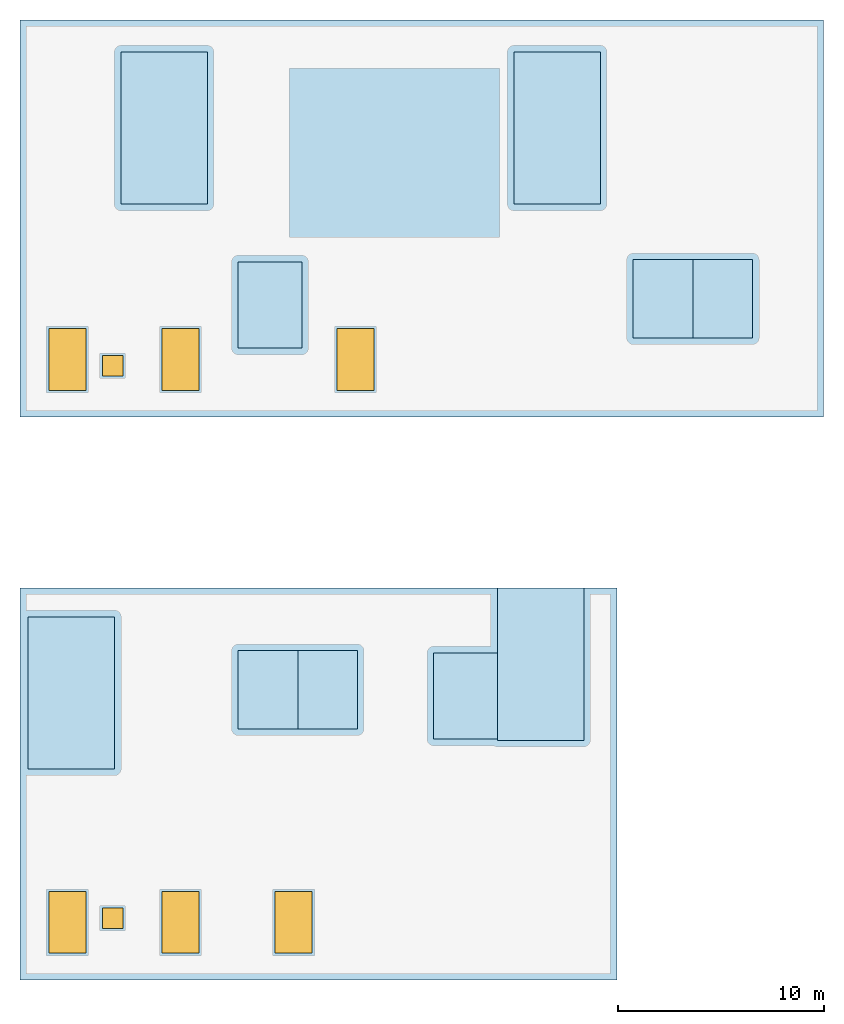
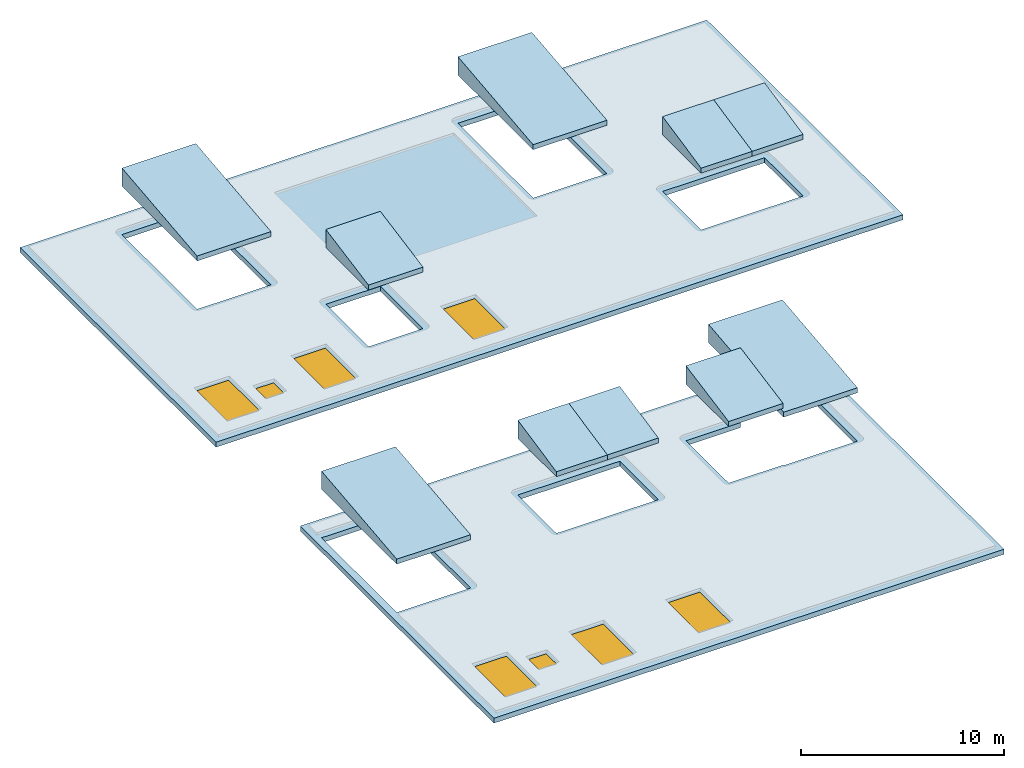
"""IFC4 building model written with IfcOpenShell, lengths in metres."""

from ifc_helpers import new_model, si_unit, direction, frame, origin, origin_2d, place, context, subcontext, project, spatial, polyline, rectangle, outline, extrude, material, layer, layer_set, type_object, element, fill, save


model = new_model("IFC4")

# Units and contexts
model_context = context("Model", 3, precision=1e-05, world=origin(), true_north=direction((0.0, 1.0)))
body_context = subcontext(model_context, "Body", "Model", "MODEL_VIEW")
ifc_project = project(units=[si_unit("LENGTHUNIT", "METRE"), si_unit("AREAUNIT", "SQUARE_METRE"), si_unit("VOLUMEUNIT", "CUBIC_METRE"), si_unit("PLANEANGLEUNIT", "RADIAN"), si_unit("MASSUNIT", "GRAM", prefix="KILO")], contexts=[model_context])

# Site, building, storey
site_placement = place(None, origin())
site = spatial("IfcSite", under=ifc_project, at=site_placement, CompositionType="ELEMENT")
building_placement = place(site_placement, origin())
building = spatial("IfcBuilding", under=site, at=building_placement, Name="Nzadi Deep Aquarium and Research Tower", CompositionType="ELEMENT")
storey_1_placement = place(building_placement, frame((0.0, 0.0, 82.300048828125)))
storey_1 = spatial("IfcBuildingStorey", under=building, at=storey_1_placement, Name="ROOF", CompositionType="ELEMENT", Elevation=82.300048828125)

# Slabs
ifc_material_1 = material(Name="Concrete C35/45", Category="concrete")
ifc_layer_1 = layer(ifc_material_1, 0.300048828125)
ifc_layer_set_1 = layer_set([ifc_layer_1], Name="Concrete C35/45")
slab_type_1 = type_object("IfcSlabType", Name="Head slab 300", PredefinedType="ROOF", material=ifc_layer_set_1)
slab_1_placement = place(storey_1_placement, frame((0.0, 0.0, 2.89990234375)))
element("IfcSlab", 1, at=slab_1_placement, inside=storey_1, type_object=slab_type_1, Name="Head slab ST-Z1-SW", PredefinedType="ROOF", context=body_context, shape_type="SweptSolid", body=[
    extrude(outline(polyline([(0.0, 0.0), (7.39990234375, 0.0), (7.39990234375, 1.10009765625), (0.0, 0.300048828125), (0.0, 0.0)])), frame((0.199951171875, 10.050048828125, 0.0), z_axis=(1.0, 0.0, 0.0), x_axis=(0.0, 1.0, 0.0)), (0.0, 0.0, 1.0), 4.199951171875),
])
slab_2_placement = place(storey_1_placement, frame((0.0, 0.0, 2.89990234375)))
element("IfcSlab", 2, at=slab_2_placement, inside=storey_1, type_object=slab_type_1, Name="Head slab ST-Z1-SE", PredefinedType="ROOF", context=body_context, shape_type="SweptSolid", body=[
    extrude(outline(polyline([(0.0, 0.0), (7.400146484375, 0.0), (7.400146484375, 1.10009765625), (0.0, 0.300048828125), (0.0, 0.0)])), frame((23.0, 11.449951171875, 0.0), z_axis=(1.0, 0.0, 0.0), x_axis=(0.0, 1.0, 0.0)), (0.0, 0.0, 1.0), 4.199951171875),
])
slab_3_placement = place(storey_1_placement, frame((0.0, 0.0, 2.89990234375)))
element("IfcSlab", 3, at=slab_3_placement, inside=storey_1, type_object=slab_type_1, Name="Head slab ST-Z1-NW", PredefinedType="ROOF", context=body_context, shape_type="SweptSolid", body=[
    extrude(outline(polyline([(0.0, 0.0), (7.39990234375, 0.0), (7.39990234375, 1.10009765625), (0.0, 0.300048828125), (0.0, 0.0)])), frame((4.699951171875, 37.5, 0.0), z_axis=(1.0, 0.0, 0.0), x_axis=(0.0, 1.0, 0.0)), (0.0, 0.0, 1.0), 4.199951171875),
])
slab_4_placement = place(storey_1_placement, frame((0.0, 0.0, 2.89990234375)))
element("IfcSlab", 4, at=slab_4_placement, inside=storey_1, type_object=slab_type_1, Name="Head slab ST-Z1-NE", PredefinedType="ROOF", context=body_context, shape_type="SweptSolid", body=[
    extrude(outline(polyline([(0.0, 0.0), (7.39990234375, 0.0), (7.39990234375, 1.10009765625), (0.0, 0.300048828125), (0.0, 0.0)])), frame((23.800048828125, 37.5, 0.0), z_axis=(1.0, 0.0, 0.0), x_axis=(0.0, 1.0, 0.0)), (0.0, 0.0, 1.0), 4.199951171875),
])
slab_5_placement = place(storey_1_placement, frame((0.0, 0.0, 3.39990234375)))
element("IfcSlab", 5, at=slab_5_placement, inside=storey_1, type_object=slab_type_1, Name="Head slab TL1", PredefinedType="ROOF", context=body_context, shape_type="SweptSolid", body=[
    extrude(outline(polyline([(0.0, 0.0), (3.800048828125, 0.0), (3.800048828125, 1.10009765625), (0.0, 0.300048828125), (0.0, 0.0)])), frame((10.39990234375, 12.0, 0.0), z_axis=(1.0, 0.0, 0.0), x_axis=(0.0, 1.0, 0.0)), (0.0, 0.0, 1.0), 2.900146484375),
])
slab_6_placement = place(storey_1_placement, frame((0.0, 0.0, 3.39990234375)))
element("IfcSlab", 6, at=slab_6_placement, inside=storey_1, type_object=slab_type_1, Name="Head slab TL2", PredefinedType="ROOF", context=body_context, shape_type="SweptSolid", body=[
    extrude(outline(polyline([(0.0, 0.0), (3.800048828125, 0.0), (3.800048828125, 1.10009765625), (0.0, 0.300048828125), (0.0, 0.0)])), frame((13.300048828125, 12.0, 0.0), z_axis=(1.0, 0.0, 0.0), x_axis=(0.0, 1.0, 0.0)), (0.0, 0.0, 1.0), 2.89990234375),
])
slab_7_placement = place(storey_1_placement, frame((0.0, 0.0, 3.39990234375)))
element("IfcSlab", 7, at=slab_7_placement, inside=storey_1, type_object=slab_type_1, Name="Head slab FL1", PredefinedType="ROOF", context=body_context, shape_type="SweptSolid", body=[
    extrude(outline(polyline([(0.0, 0.0), (4.199951171875, 0.0), (4.199951171875, 1.10009765625), (0.0, 0.300048828125), (0.0, 0.0)])), frame((19.89990234375, 11.5, 0.0), z_axis=(1.0, 0.0, 0.0), x_axis=(0.0, 1.0, 0.0)), (0.0, 0.0, 1.0), 3.10009765625),
])
slab_8_placement = place(storey_1_placement, frame((0.0, 0.0, 3.39990234375)))
element("IfcSlab", 8, at=slab_8_placement, inside=storey_1, type_object=slab_type_1, Name="Head slab FL2", PredefinedType="ROOF", context=body_context, shape_type="SweptSolid", body=[
    extrude(outline(polyline([(0.0, 0.0), (4.199951171875, 0.0), (4.199951171875, 1.10009765625), (0.0, 0.300048828125), (0.0, 0.0)])), frame((10.39990234375, 30.5, 0.0), z_axis=(1.0, 0.0, 0.0), x_axis=(0.0, 1.0, 0.0)), (0.0, 0.0, 1.0), 3.10009765625),
])
slab_9_placement = place(storey_1_placement, frame((0.0, 0.0, 3.39990234375)))
element("IfcSlab", 9, at=slab_9_placement, inside=storey_1, type_object=slab_type_1, Name="Head slab TL3", PredefinedType="ROOF", context=body_context, shape_type="SweptSolid", body=[
    extrude(outline(polyline([(0.0, 0.0), (3.800048828125, 0.0), (3.800048828125, 1.10009765625), (0.0, 0.300048828125), (0.0, 0.0)])), frame((29.60009765625, 31.0, 0.0), z_axis=(1.0, 0.0, 0.0), x_axis=(0.0, 1.0, 0.0)), (0.0, 0.0, 1.0), 2.89990234375),
])
slab_10_placement = place(storey_1_placement, frame((0.0, 0.0, 3.39990234375)))
element("IfcSlab", 10, at=slab_10_placement, inside=storey_1, type_object=slab_type_1, Name="Head slab TL4", PredefinedType="ROOF", context=body_context, shape_type="SweptSolid", body=[
    extrude(outline(polyline([(0.0, 0.0), (3.800048828125, 0.0), (3.800048828125, 1.10009765625), (0.0, 0.300048828125), (0.0, 0.0)])), frame((32.5, 31.0, 0.0), z_axis=(1.0, 0.0, 0.0), x_axis=(0.0, 1.0, 0.0)), (0.0, 0.0, 1.0), 2.89990234375),
])

# Slab, openings
ifc_material_2 = material(Name="Concrete C35/45", Category="concrete")
ifc_layer_2 = layer(ifc_material_2, 0.300048828125)
ifc_layer_set_2 = layer_set([ifc_layer_2], Name="Concrete C35/45")
slab_type_2 = type_object("IfcSlabType", Name="RC roof slab 300", PredefinedType="ROOF", material=ifc_layer_set_2)
slab_11_placement = place(storey_1_placement, frame((0.0, 0.0, -0.300048828125)))
slab_11 = element("IfcSlab", 11, at=slab_11_placement, inside=storey_1, type_object=slab_type_2, Name="Tower roof A", PredefinedType="ROOF", context=body_context, shape_type="SweptSolid", body=[
    extrude(outline(polyline([(27.199951171875, 11.449951171875), (23.0, 11.449951171875), (23.0, 11.5), (19.89990234375, 11.5), (19.89990234375, 15.699951171875), (23.0, 15.699951171875), (23.0, 18.85009765625), (-0.199462890625, 18.85009765625), (-0.199462890625, -0.199951171875), (28.800048828125, -0.199951171875), (28.800048828125, 18.85009765625), (27.199951171875, 18.85009765625), (27.199951171875, 11.449951171875)]), holes=[polyline([(4.39990234375, 17.449951171875), (4.39990234375, 10.050048828125), (0.199951171875, 10.050048828125), (0.199951171875, 17.449951171875), (4.39990234375, 17.449951171875)]), polyline([(10.39990234375, 12.0), (10.39990234375, 15.800048828125), (13.300048828125, 15.800048828125), (16.199951171875, 15.800048828125), (16.199951171875, 12.0), (13.300048828125, 12.0), (10.39990234375, 12.0)])]), origin(), (0.0, 0.0, 1.0), 0.300048828125),
])
opening_1_placement = place(slab_11_placement, frame((2.10009765625, 2.60009765625, 0.0)))
opening_1 = element("IfcOpeningElement", 12, at=opening_1_placement, cuts=slab_11, Name="Opening RL1", PredefinedType="OPENING", context=body_context, shape_type="SweptSolid", body=[
    extrude(rectangle(XDim=1.800048828125, YDim=3.0, at=origin_2d()), origin(), (0.0, 0.0, 1.0), 0.300048828125),
])
opening_2_placement = place(slab_11_placement, frame((7.60009765625, 2.60009765625, 0.0)))
opening_2 = element("IfcOpeningElement", 13, at=opening_2_placement, cuts=slab_11, Name="Opening RL1", PredefinedType="OPENING", context=body_context, shape_type="SweptSolid", body=[
    extrude(rectangle(XDim=1.800048828125, YDim=3.0, at=origin_2d()), origin(), (0.0, 0.0, 1.0), 0.300048828125),
])
opening_3_placement = place(slab_11_placement, frame((13.10009765625, 2.60009765625, 0.0)))
opening_3 = element("IfcOpeningElement", 14, at=opening_3_placement, cuts=slab_11, Name="Opening RL1", PredefinedType="OPENING", context=body_context, shape_type="SweptSolid", body=[
    extrude(rectangle(XDim=1.800048828125, YDim=3.0, at=origin_2d()), origin(), (0.0, 0.0, 1.0), 0.300048828125),
])
opening_4_placement = place(slab_11_placement, frame((4.300048828125, 2.800048828125, 0.0)))
opening_4 = element("IfcOpeningElement", 15, at=opening_4_placement, cuts=slab_11, Name="Opening DE028", PredefinedType="OPENING", context=body_context, shape_type="SweptSolid", body=[
    extrude(rectangle(XDim=1.0, YDim=1.0, at=origin_2d()), origin(), (0.0, 0.0, 1.0), 0.300048828125),
])

# Storey
storey_2_placement = place(building_placement, frame((0.0, 0.0, 78.10009765625)))
storey_2 = spatial("IfcBuildingStorey", under=building, at=storey_2_placement, Name="L16", CompositionType="ELEMENT", Elevation=78.10009765625)

# Door
ifc_material_3 = material(Name="Steel, galvanised", Category="steel")
door_type = type_object("IfcDoorType", Name="Roof access hatch 1000x1000", OperationType="SWING_FIXED_LEFT", PredefinedType="TRAPDOOR", material=ifc_material_3)
door_1_placement = place(opening_4_placement, frame((0.0, 0.0, 0.25)))
door_1 = element("IfcDoor", 16, at=door_1_placement, inside=storey_2, type_object=door_type, Name="Roof hatch A1", OperationType="SWING_FIXED_LEFT", OverallHeight=1.0, OverallWidth=1.0, PredefinedType="TRAPDOOR", context=body_context, shape_type="SweptSolid", body=[
    extrude(rectangle(XDim=1.0, YDim=1.0, at=origin_2d()), origin(), (0.0, 0.0, 1.0), 0.050048828125),
])

fill(opening_4, door_1)

# Window
ifc_material_4 = material(Name="Aluminium framed glazing", Category="aluminium")
window_type = type_object("IfcWindowType", Name="Roof light 1800x3000", PartitioningType="SINGLE_PANEL", PredefinedType="SKYLIGHT", material=ifc_material_4)
window_1_placement = place(opening_1_placement, frame((0.0, 0.0, 0.25)))
window_1 = element("IfcWindow", 17, at=window_1_placement, inside=storey_2, type_object=window_type, Name="Roof light A1", OverallHeight=3.0, OverallWidth=1.800048828125, PartitioningType="SINGLE_PANEL", PredefinedType="SKYLIGHT", context=body_context, shape_type="SweptSolid", body=[
    extrude(rectangle(XDim=1.800048828125, YDim=3.0, at=origin_2d()), origin(), (0.0, 0.0, 1.0), 0.050048828125),
])

fill(opening_1, window_1)

window_2_placement = place(opening_2_placement, frame((0.0, 0.0, 0.25)))
window_2 = element("IfcWindow", 18, at=window_2_placement, inside=storey_2, type_object=window_type, Name="Roof light A2", OverallHeight=3.0, OverallWidth=1.800048828125, PartitioningType="SINGLE_PANEL", PredefinedType="SKYLIGHT", context=body_context, shape_type="SweptSolid", body=[
    extrude(rectangle(XDim=1.800048828125, YDim=3.0, at=origin_2d()), origin(), (0.0, 0.0, 1.0), 0.050048828125),
])

fill(opening_2, window_2)

window_3_placement = place(opening_3_placement, frame((0.0, 0.0, 0.25)))
window_3 = element("IfcWindow", 19, at=window_3_placement, inside=storey_2, type_object=window_type, Name="Roof light A3", OverallHeight=3.0, OverallWidth=1.800048828125, PartitioningType="SINGLE_PANEL", PredefinedType="SKYLIGHT", context=body_context, shape_type="SweptSolid", body=[
    extrude(rectangle(XDim=1.800048828125, YDim=3.0, at=origin_2d()), origin(), (0.0, 0.0, 1.0), 0.050048828125),
])

fill(opening_3, window_3)

# Slab, openings, door, windows
slab_12_placement = place(storey_1_placement, frame((0.0, 0.0, -0.300048828125)))
slab_12 = element("IfcSlab", 20, at=slab_12_placement, inside=storey_1, type_object=slab_type_2, Name="Tower roof B", PredefinedType="ROOF", context=body_context, shape_type="SweptSolid", body=[
    extrude(outline(polyline([(-0.199462890625, 27.14990234375), (38.85009765625, 27.14990234375), (38.85009765625, 46.449951171875), (-0.199462890625, 46.449951171875), (-0.199462890625, 27.14990234375)]), holes=[polyline([(8.89990234375, 44.89990234375), (8.89990234375, 37.5), (4.699951171875, 37.5), (4.699951171875, 44.89990234375), (8.89990234375, 44.89990234375)]), polyline([(28.0, 37.5), (23.800048828125, 37.5), (23.800048828125, 44.89990234375), (28.0, 44.89990234375), (28.0, 37.5)]), polyline([(10.39990234375, 30.5), (10.39990234375, 34.699951171875), (13.5, 34.699951171875), (13.5, 30.5), (10.39990234375, 30.5)]), polyline([(29.60009765625, 34.800048828125), (32.5, 34.800048828125), (35.39990234375, 34.800048828125), (35.39990234375, 31.0), (32.5, 31.0), (29.60009765625, 31.0), (29.60009765625, 34.800048828125)])]), origin(), (0.0, 0.0, 1.0), 0.300048828125),
])
opening_5_placement = place(slab_12_placement, frame((2.10009765625, 29.949951171875, 0.0)))
opening_5 = element("IfcOpeningElement", 21, at=opening_5_placement, cuts=slab_12, Name="Opening RL1", PredefinedType="OPENING", context=body_context, shape_type="SweptSolid", body=[
    extrude(rectangle(XDim=1.800048828125, YDim=3.0, at=origin_2d()), origin(), (0.0, 0.0, 1.0), 0.300048828125),
])
opening_6_placement = place(slab_12_placement, frame((7.60009765625, 29.949951171875, 0.0)))
opening_6 = element("IfcOpeningElement", 22, at=opening_6_placement, cuts=slab_12, Name="Opening RL1", PredefinedType="OPENING", context=body_context, shape_type="SweptSolid", body=[
    extrude(rectangle(XDim=1.800048828125, YDim=3.0, at=origin_2d()), origin(), (0.0, 0.0, 1.0), 0.300048828125),
])
opening_7_placement = place(slab_12_placement, frame((16.10009765625, 29.949951171875, 0.0)))
opening_7 = element("IfcOpeningElement", 23, at=opening_7_placement, cuts=slab_12, Name="Opening RL1", PredefinedType="OPENING", context=body_context, shape_type="SweptSolid", body=[
    extrude(rectangle(XDim=1.800048828125, YDim=3.0, at=origin_2d()), origin(), (0.0, 0.0, 1.0), 0.300048828125),
])
opening_8_placement = place(slab_12_placement, frame((4.300048828125, 29.64990234375, 0.0)))
opening_8 = element("IfcOpeningElement", 24, at=opening_8_placement, cuts=slab_12, Name="Opening DE029", PredefinedType="OPENING", context=body_context, shape_type="SweptSolid", body=[
    extrude(rectangle(XDim=1.0, YDim=1.0, at=origin_2d()), origin(), (0.0, 0.0, 1.0), 0.300048828125),
])
door_2_placement = place(opening_8_placement, frame((0.0, 0.0, 0.25)))
door_2 = element("IfcDoor", 25, at=door_2_placement, inside=storey_2, type_object=door_type, Name="Roof hatch B1", OperationType="SWING_FIXED_LEFT", OverallHeight=1.0, OverallWidth=1.0, PredefinedType="TRAPDOOR", context=body_context, shape_type="SweptSolid", body=[
    extrude(rectangle(XDim=1.0, YDim=1.0, at=origin_2d()), origin(), (0.0, 0.0, 1.0), 0.050048828125),
])
fill(opening_8, door_2)
window_4_placement = place(opening_5_placement, frame((0.0, 0.0, 0.25)))
window_4 = element("IfcWindow", 26, at=window_4_placement, inside=storey_2, type_object=window_type, Name="Roof light B1", OverallHeight=3.0, OverallWidth=1.800048828125, PartitioningType="SINGLE_PANEL", PredefinedType="SKYLIGHT", context=body_context, shape_type="SweptSolid", body=[
    extrude(rectangle(XDim=1.800048828125, YDim=3.0, at=origin_2d()), origin(), (0.0, 0.0, 1.0), 0.050048828125),
])
fill(opening_5, window_4)
window_5_placement = place(opening_6_placement, frame((0.0, 0.0, 0.25)))
window_5 = element("IfcWindow", 27, at=window_5_placement, inside=storey_2, type_object=window_type, Name="Roof light B2", OverallHeight=3.0, OverallWidth=1.800048828125, PartitioningType="SINGLE_PANEL", PredefinedType="SKYLIGHT", context=body_context, shape_type="SweptSolid", body=[
    extrude(rectangle(XDim=1.800048828125, YDim=3.0, at=origin_2d()), origin(), (0.0, 0.0, 1.0), 0.050048828125),
])
fill(opening_6, window_5)
window_6_placement = place(opening_7_placement, frame((0.0, 0.0, 0.25)))
window_6 = element("IfcWindow", 28, at=window_6_placement, inside=storey_2, type_object=window_type, Name="Roof light B3", OverallHeight=3.0, OverallWidth=1.800048828125, PartitioningType="SINGLE_PANEL", PredefinedType="SKYLIGHT", context=body_context, shape_type="SweptSolid", body=[
    extrude(rectangle(XDim=1.800048828125, YDim=3.0, at=origin_2d()), origin(), (0.0, 0.0, 1.0), 0.050048828125),
])
fill(opening_7, window_6)

save(model, "model.ifc")
